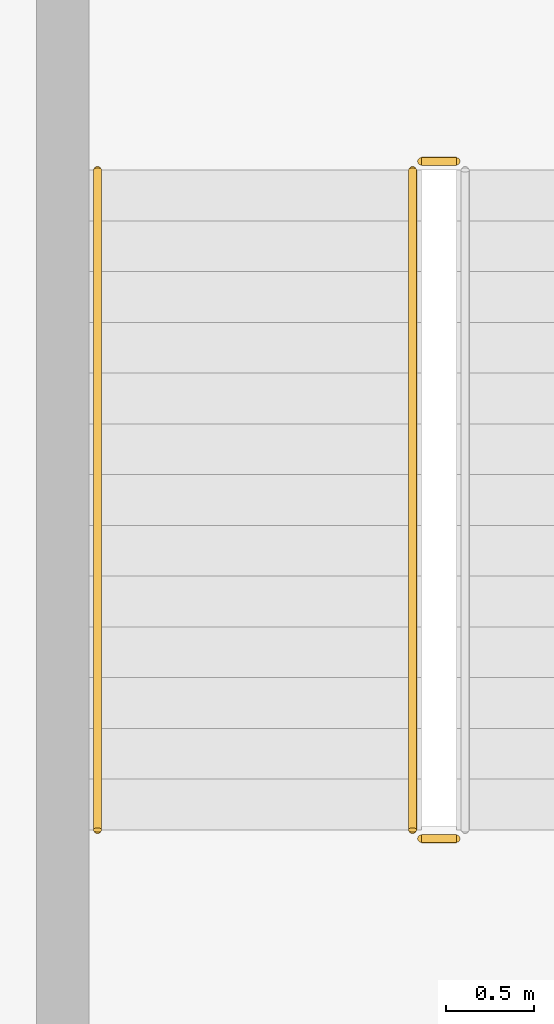
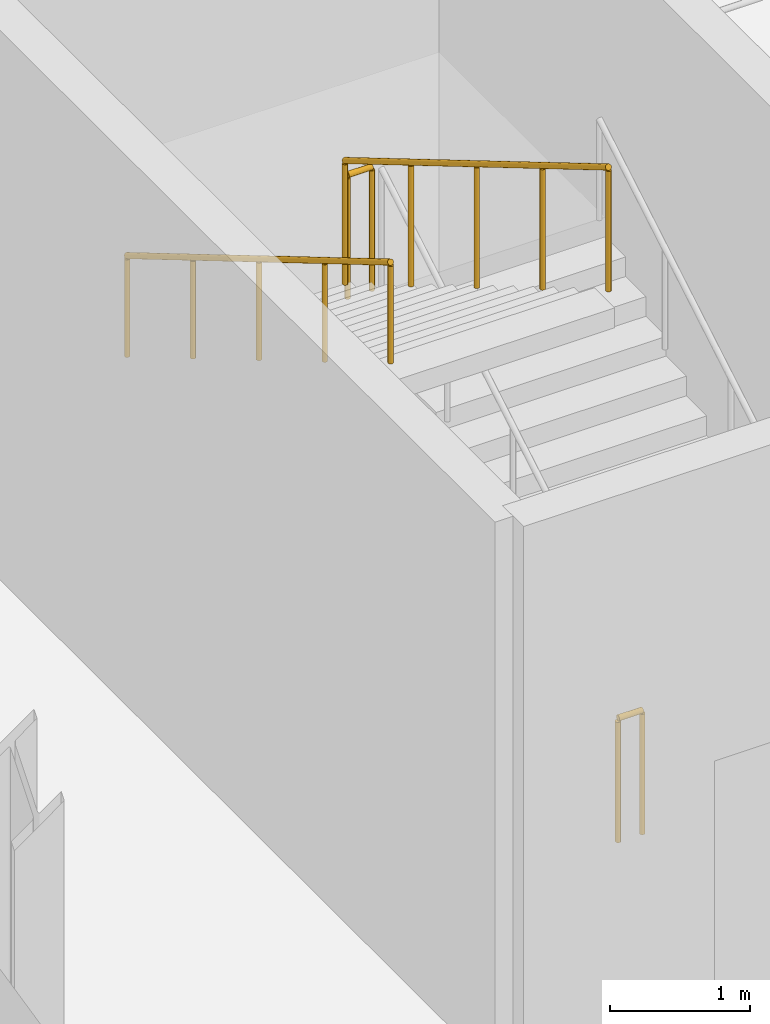
# One storey, part 111 of 122: 4 railings.
"""IFC4 building model written with IfcOpenShell, lengths in metres."""

from ifc_helpers import new_model, si_unit, direction, frame, origin, origin_2d, place, context, subcontext, project, spatial, circle, extrude, material, type_object, element, save


model = new_model("IFC4")

# Units and contexts
model_context = context("Model", 3, precision=1e-05, world=origin(), true_north=direction((0.0, 1.0)))
body_context = subcontext(model_context, "Body", "Model", "MODEL_VIEW")
ifc_project = project(units=[si_unit("LENGTHUNIT", "METRE"), si_unit("AREAUNIT", "SQUARE_METRE"), si_unit("VOLUMEUNIT", "CUBIC_METRE"), si_unit("PLANEANGLEUNIT", "RADIAN"), si_unit("MASSUNIT", "GRAM", prefix="KILO"), si_unit("THERMODYNAMICTEMPERATUREUNIT", "KELVIN"), si_unit("POWERUNIT", "WATT")], contexts=[model_context])

# Site, building, storey
site_placement = place(None, origin())
site = spatial("IfcSite", under=ifc_project, at=site_placement, CompositionType="ELEMENT")
building_placement = place(site_placement, origin())
building = spatial("IfcBuilding", under=site, at=building_placement, Name="Zelmaris Science Centre", CompositionType="ELEMENT")
storey_placement = place(building_placement, frame((0.0, 0.0, 10.800048828125)))
storey = spatial("IfcBuildingStorey", under=building, at=storey_placement, Name="L02", CompositionType="ELEMENT", Elevation=10.800048828125)

# Railings
ifc_material = material(Name="Architectural bronze alloy C28000")
railing_type_1 = type_object("IfcRailingType", Name="Balustrade GD-01 H1120", PredefinedType="BALUSTRADE", material=ifc_material)
railing_1_placement = place(storey_placement, frame((72.699951171875, 37.719970703125, 2.39990234375)))
element("IfcRailing", 1, at=railing_1_placement, inside=storey, type_object=railing_type_1, Name="L02 ST-1 stair guard 2", PredefinedType="BALUSTRADE", context=body_context, shape_type="SweptSolid", body=[
    extrude(circle(Radius=0.02392578125, at=origin_2d()), frame((0.0, 0.0, 1.076171875), z_axis=(-1.0, 0.0, 0.0), x_axis=(0.0, -1.0, 0.0)), (0.0, 0.0, 1.0), 0.199951171875),
    extrude(circle(Radius=0.02099609375, at=origin_2d()), origin(), (0.0, 0.0, 1.0), 1.052001953125),
    extrude(circle(Radius=0.02099609375, at=origin_2d()), frame((-0.199951171875, 0.0, 0.0)), (0.0, 0.0, 1.0), 1.052001953125),
])
railing_2_placement = place(storey_placement, frame((72.449951171875, 37.669921875, 2.5712890625)))
element("IfcRailing", 2, at=railing_2_placement, inside=storey, type_object=railing_type_1, Name="L02 ST-1 stair guard 3", PredefinedType="BALUSTRADE", context=body_context, shape_type="SweptSolid", body=[
    extrude(circle(Radius=0.02392578125, at=origin_2d()), frame((0.0, 0.0, 1.076171875), z_axis=(0.0, -0.860824410104, 0.508902087802), x_axis=(1.0, 0.0, 0.0)), (0.0, 0.0, 1.0), 4.379638671875),
    extrude(circle(Radius=0.02099609375, at=origin_2d()), origin(), (0.0, 0.0, 1.0), 1.052001953125),
    extrude(circle(Radius=0.02099609375, at=origin_2d()), frame((0.0, -0.9423828125, 0.55712890625)), (0.0, 0.0, 1.0), 1.052001953125),
    extrude(circle(Radius=0.02099609375, at=origin_2d()), frame((0.0, -1.885009765625, 1.1142578125)), (0.0, 0.0, 1.0), 1.052001953125),
    extrude(circle(Radius=0.02099609375, at=origin_2d()), frame((0.0, -2.82763671875, 1.671630859375)), (0.0, 0.0, 1.0), 1.052001953125),
    extrude(circle(Radius=0.02099609375, at=origin_2d()), frame((0.0, -3.77001953125, 2.228759765625)), (0.0, 0.0, 1.0), 1.052001953125),
])
railing_3_placement = place(storey_placement, frame((72.699951171875, 33.85009765625, 0.0)))
element("IfcRailing", 3, at=railing_3_placement, inside=storey, type_object=railing_type_1, Name="L02 ST-1 stair guard 4", PredefinedType="BALUSTRADE", context=body_context, shape_type="SweptSolid", body=[
    extrude(circle(Radius=0.02392578125, at=origin_2d()), frame((0.0, 0.0, 1.076171875), z_axis=(-1.0, 0.0, 0.0), x_axis=(0.0, -1.0, 0.0)), (0.0, 0.0, 1.0), 0.199951171875),
    extrude(circle(Radius=0.02099609375, at=origin_2d()), origin(), (0.0, 0.0, 1.0), 1.052001953125),
    extrude(circle(Radius=0.02099609375, at=origin_2d()), frame((-0.199951171875, 0.0, 0.0)), (0.0, 0.0, 1.0), 1.052001953125),
])
railing_type_2 = type_object("IfcRailingType", Name="Handrail HR-01 H900", PredefinedType="HANDRAIL", material=ifc_material)
railing_4_placement = place(storey_placement, frame((70.64990234375, 37.669921875, 2.5712890625)))
element("IfcRailing", 4, at=railing_4_placement, inside=storey, type_object=railing_type_2, Name="L02 ST-1 stair handrail 2", PredefinedType="HANDRAIL", context=body_context, shape_type="SweptSolid", body=[
    extrude(circle(Radius=0.02392578125, at=origin_2d()), frame((0.0, 0.0, 0.8759765625), z_axis=(0.0, -0.860824410104, 0.508902087802), x_axis=(1.0, 0.0, 0.0)), (0.0, 0.0, 1.0), 4.379638671875),
    extrude(circle(Radius=0.02099609375, at=origin_2d()), origin(), (0.0, 0.0, 1.0), 0.851806640625),
    extrude(circle(Radius=0.02099609375, at=origin_2d()), frame((0.0, -0.9423828125, 0.55712890625)), (0.0, 0.0, 1.0), 0.851806640625),
    extrude(circle(Radius=0.02099609375, at=origin_2d()), frame((0.0, -1.885009765625, 1.1142578125)), (0.0, 0.0, 1.0), 0.851806640625),
    extrude(circle(Radius=0.02099609375, at=origin_2d()), frame((0.0, -2.82763671875, 1.671630859375)), (0.0, 0.0, 1.0), 0.851806640625),
    extrude(circle(Radius=0.02099609375, at=origin_2d()), frame((0.0, -3.77001953125, 2.228759765625)), (0.0, 0.0, 1.0), 0.851806640625),
])

save(model, "model.ifc")
